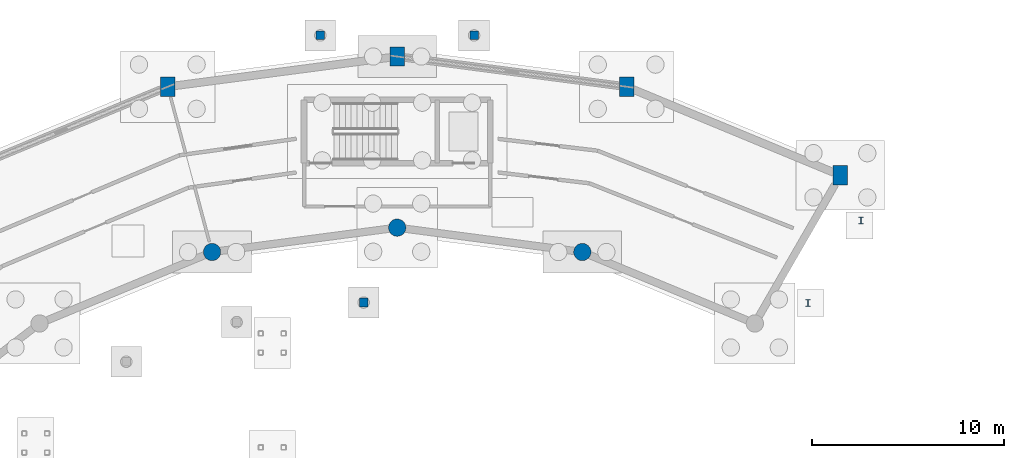
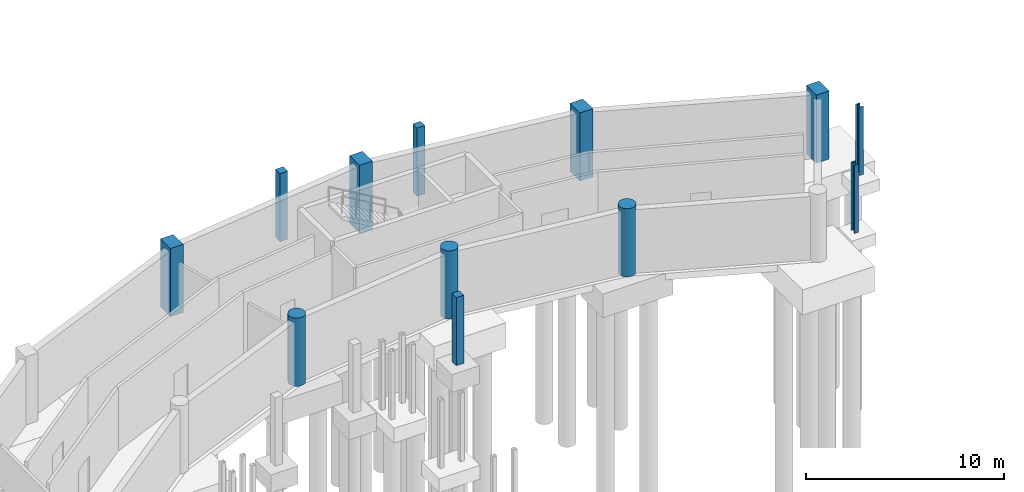
# One storey, part 20 of 43: 12 columns.
"""IFC4 building model written with IfcOpenShell, lengths in metres."""

from ifc_helpers import new_model, si_unit, direction, frame, origin, origin_2d, place, context, subcontext, project, spatial, rectangle, circle, i_section, extrude, material, material_profile, profile_set, type_object, element, save


model = new_model("IFC4")

# Units and contexts
model_context = context("Model", 3, precision=1e-05, world=origin(), true_north=direction((0.0, 1.0)))
body_context = subcontext(model_context, "Body", "Model", "MODEL_VIEW")
ifc_project = project(units=[si_unit("LENGTHUNIT", "METRE"), si_unit("AREAUNIT", "SQUARE_METRE"), si_unit("VOLUMEUNIT", "CUBIC_METRE"), si_unit("PLANEANGLEUNIT", "RADIAN"), si_unit("MASSUNIT", "GRAM", prefix="KILO")], contexts=[model_context])

# Site, building, storey
site_placement = place(None, origin())
site = spatial("IfcSite", under=ifc_project, at=site_placement, CompositionType="ELEMENT")
building_placement = place(site_placement, origin())
building = spatial("IfcBuilding", under=site, at=building_placement, Name="Vespera Passage Community Centre", CompositionType="ELEMENT")
storey_placement = place(building_placement, frame((0.0, 0.0, -4.199951171875)))
storey = spatial("IfcBuildingStorey", under=building, at=storey_placement, Name="B1", CompositionType="ELEMENT", Elevation=-4.199951171875)

# Columns
ifc_material_1 = material(Name="Concrete f'c 45 MPa", Category="concrete")
ifc_material_profile_1 = material_profile(ifc_material_1, rectangle(XDim=0.75, YDim=1.0, at=origin_2d()), Name="RC1000X750")
ifc_profile_set_1 = profile_set([ifc_material_profile_1], Name="Concrete f'c 45 MPa")
column_type_1 = type_object("IfcColumnType", Name="COL-RC1000X750E", PredefinedType="COLUMN", material=ifc_profile_set_1)
for number, where, z_axis, x_axis, name in (
    (1, (101.050048828125, 105.423828125, 0.0), (0.0, 0.0, 1.0), (1.0, 0.0, 0.0), "B1 Column V4-O04"),
    (2, (89.931640625, 110.029296875, 0.0), (0.0, 0.0, 1.0), (1.0, 0.0, 0.0), "B1 Column V4-O05"),
    (3, (78.0, 111.60009765625, 0.0), (0.0, 0.0, 1.0), (1.0, 0.0, 0.0), "B1 Column V4-O06"),
    (4, (66.068359375, 110.029296875, 0.0), (0.0, 0.0, 1.0), (1.0, 0.0, 0.0), "B1 Column V4-O07"),
):
    element("IfcColumn", number, at=place(storey_placement, frame(where, z_axis=z_axis, x_axis=x_axis)), inside=storey, type_object=column_type_1, Name=name, PredefinedType="COLUMN", context=body_context, shape_type="SweptSolid", body=[
        extrude(rectangle(XDim=0.75, YDim=1.0, at=origin_2d()), origin(), (0.0, 0.0, 1.0), 4.199951171875),
    ])
ifc_material_2 = material(Name="Concrete f'c 45 MPa", Category="concrete")
ifc_material_profile_2 = material_profile(ifc_material_2, rectangle(XDim=0.449951171875, YDim=0.449951171875, at=origin_2d()), Name="RC450X450")
ifc_profile_set_2 = profile_set([ifc_material_profile_2], Name="Concrete f'c 45 MPa")
column_type_2 = type_object("IfcColumnType", Name="COL-RC450E", PredefinedType="COLUMN", material=ifc_profile_set_2)
for number, where, z_axis, x_axis, name in (
    (5, (76.254638671875, 98.80419921875, 0.0), (0.0, 0.0, 1.0), (1.0, 0.0, 0.0), "B1 Column CTERR-C01"),
    (6, (74.0, 112.699951171875, 0.0), (0.0, 0.0, 1.0), (1.0, 0.0, 0.0), "B1 Column NP-P01"),
    (7, (82.0, 112.699951171875, 0.0), (0.0, 0.0, 1.0), (1.0, 0.0, 0.0), "B1 Column NP-P03"),
):
    element("IfcColumn", number, at=place(storey_placement, frame(where, z_axis=z_axis, x_axis=x_axis)), inside=storey, type_object=column_type_2, Name=name, PredefinedType="COLUMN", context=body_context, shape_type="SweptSolid", body=[
        extrude(rectangle(XDim=0.449951171875, YDim=0.449951171875, at=origin_2d()), origin(), (0.0, 0.0, 1.0), 4.199951171875),
    ])
ifc_material_3 = material(Name="Concrete f'c 45 MPa", Category="concrete")
ifc_material_profile_3 = material_profile(ifc_material_3, circle(Radius=0.449951171875, at=origin_2d()), Name="RC900DIA")
ifc_profile_set_3 = profile_set([ifc_material_profile_3], Name="Concrete f'c 45 MPa")
column_type_3 = type_object("IfcColumnType", Name="COL-RC900DIAE", PredefinedType="COLUMN", material=ifc_profile_set_3)
for number, where, z_axis, x_axis, name in (
    (8, (87.628173828125, 101.432373046875, 0.0), (0.0, 0.0, 1.0), (1.0, 0.0, 0.0), "B1 Column V4-I05"),
    (9, (78.0, 102.699951171875, 0.0), (0.0, 0.0, 1.0), (1.0, 0.0, 0.0), "B1 Column V4-I06"),
    (10, (68.371826171875, 101.432373046875, 0.0), (0.0, 0.0, 1.0), (1.0, 0.0, 0.0), "B1 Column V4-I07"),
):
    element("IfcColumn", number, at=place(storey_placement, frame(where, z_axis=z_axis, x_axis=x_axis)), inside=storey, type_object=column_type_3, Name=name, PredefinedType="COLUMN", context=body_context, shape_type="SweptSolid", body=[
        extrude(circle(Radius=0.449951171875, at=origin_2d()), origin(), (0.0, 0.0, 1.0), 4.199951171875),
    ])
ifc_material_4 = material(Name="Steel ASTM A992 Grade 50", Category="steel")
ifc_material_profile_4 = material_profile(ifc_material_4, i_section(OverallWidth=0.2548828125, OverallDepth=0.356689453125, WebThickness=0.010498046875, FlangeThickness=0.018310546875, FilletRadius=0.01513671875, at=origin_2d()), Name="W14X68")
ifc_profile_set_4 = profile_set([ifc_material_profile_4], Name="Steel ASTM A992 Grade 50")
column_type_4 = type_object("IfcColumnType", Name="COL-W14X68I", PredefinedType="COLUMN", material=ifc_profile_set_4)
for number, where, z_axis, x_axis, name in (
    (11, (99.366455078125, 98.78173828125, 0.0), (0.0, 0.0, 1.0), (1.0, 0.0, 0.0), "B1 Column TRANC-I038"),
    (12, (102.12158203125, 103.073486328125, 0.0), (0.0, 0.0, 1.0), (1.0, 0.0, 0.0), "B1 Column TRANC-O038"),
):
    element("IfcColumn", number, at=place(storey_placement, frame(where, z_axis=z_axis, x_axis=x_axis)), inside=storey, type_object=column_type_4, Name=name, PredefinedType="COLUMN", context=body_context, shape_type="SweptSolid", body=[
        extrude(i_section(OverallWidth=0.2548828125, OverallDepth=0.356689453125, WebThickness=0.010498046875, FlangeThickness=0.018310546875, FilletRadius=0.01513671875, at=origin_2d()), origin(), (0.0, 0.0, 1.0), 4.199951171875),
    ])

save(model, "model.ifc")
